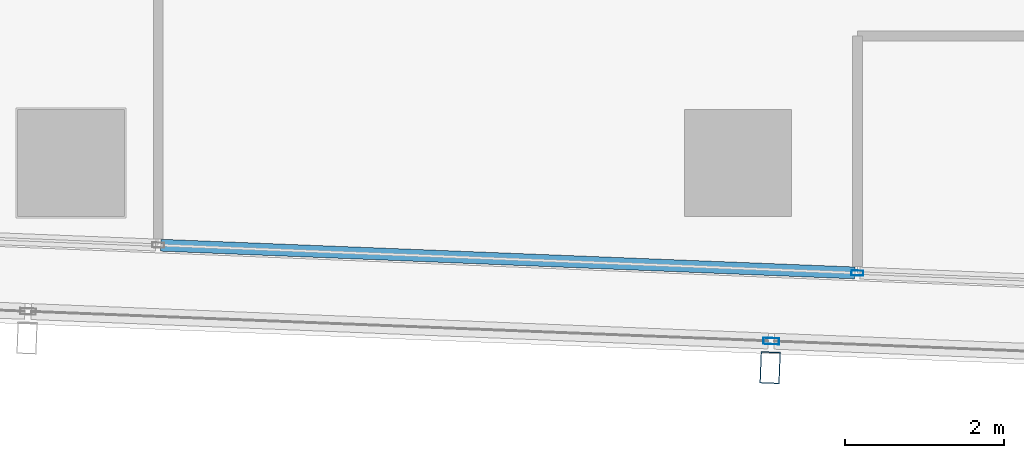
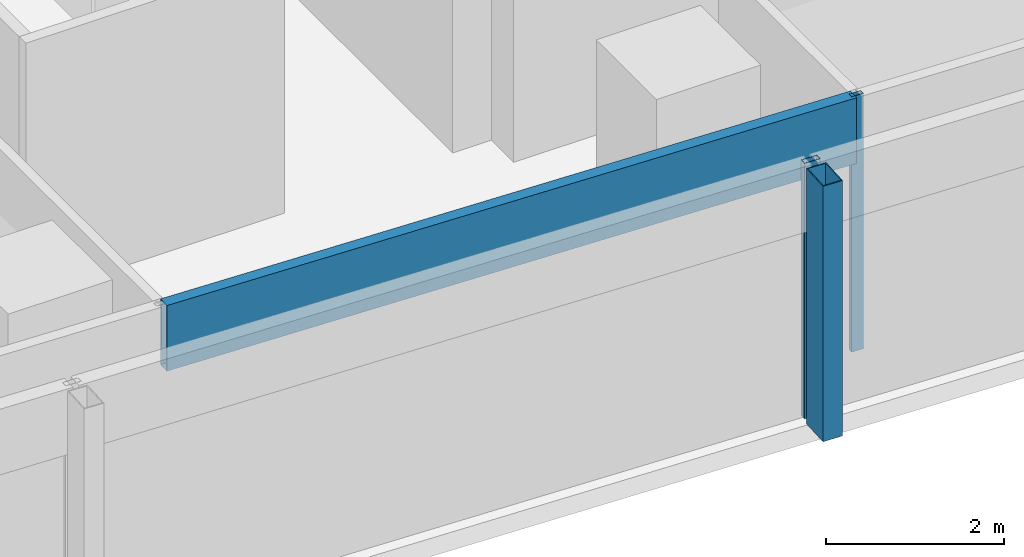
# One storey, part 6 of 39: 4 members, 2 elements without a shape of their own.
"""IFC4 building model written with IfcOpenShell, lengths in metres."""

from ifc_helpers import new_model, si_unit, direction, frame, origin, origin_2d, place, context, subcontext, project, spatial, hollow_rectangle, extrude, material, material_profile, profile_set, type_object, element, aggregate, save


model = new_model("IFC4")

# Units and contexts
model_context = context("Model", 3, precision=1e-05, world=origin(), true_north=direction((0.0, 1.0)))
body_context = subcontext(model_context, "Body", "Model", "MODEL_VIEW")
ifc_project = project(units=[si_unit("LENGTHUNIT", "METRE"), si_unit("AREAUNIT", "SQUARE_METRE"), si_unit("VOLUMEUNIT", "CUBIC_METRE"), si_unit("PLANEANGLEUNIT", "RADIAN"), si_unit("MASSUNIT", "GRAM", prefix="KILO")], contexts=[model_context])

# Site, building, storey
site_placement = place(None, origin())
site = spatial("IfcSite", under=ifc_project, at=site_placement, CompositionType="ELEMENT")
building_placement = place(site_placement, origin())
building = spatial("IfcBuilding", under=site, at=building_placement, Name="Rekha Terrace Tower", CompositionType="ELEMENT")
storey_placement = place(building_placement, frame((0.0, 0.0, 217.699951171875)))
storey = spatial("IfcBuildingStorey", under=building, at=storey_placement, Name="L55", CompositionType="ELEMENT", Elevation=217.699951171875)

# Curtain wall, member
ifc_material_1 = material(Name="Aluminium framing", Category="aluminium")
curtain_wall_type_1 = type_object("IfcCurtainWallType", Name="CW2 double skin outer glazing", PredefinedType="USERDEFINED", material=ifc_material_1)
curtain_wall_1_placement = place(storey_placement, origin())
curtain_wall_1 = element("IfcCurtainWall", 1, at=curtain_wall_1_placement, inside=storey, type_object=curtain_wall_type_1, Name="CW2 double skin outer glazing", ObjectType="DOUBLE SKIN OUTER GLAZING", PredefinedType="USERDEFINED")
ifc_material_2 = material(Name="Steel S355 with fluorocarbon finish", Category="steel")
ifc_material_profile_1 = material_profile(ifc_material_2, hollow_rectangle(XDim=0.25, YDim=0.39990234375, WallThickness=0.012451171875, at=origin_2d()), Name="RHS400x250x12.5")
ifc_profile_set_1 = profile_set([ifc_material_profile_1], Name="Steel S355 with fluorocarbon finish")
member_type_1 = type_object("IfcMemberType", Name="BL1 facade blade RHS 400 x 250", PredefinedType="USERDEFINED", material=ifc_profile_set_1)
member_1_placement = place(storey_placement, frame((25.60498046875, 14.222412109375, 0.0), z_axis=(0.0, 0.0, 1.0), x_axis=(0.999204797763, -0.039871946621, 0.0)))
member_1 = element("IfcMember", 2, at=member_1_placement, type_object=member_type_1, Name="Facade blade", ObjectType="FACADE BLADE", PredefinedType="USERDEFINED", context=body_context, shape_type="SweptSolid", body=[
    extrude(hollow_rectangle(XDim=0.25, YDim=0.39990234375, WallThickness=0.012451171875, at=origin_2d()), origin(), (0.0, 0.0, 1.0), 3.5),
])

# Curtain wall, members
curtain_wall_type_2 = type_object("IfcCurtainWallType", Name="CW1 double skin inner glazing", PredefinedType="USERDEFINED", material=ifc_material_1)
curtain_wall_2_placement = place(storey_placement, origin())
curtain_wall_2 = element("IfcCurtainWall", 3, at=curtain_wall_2_placement, inside=storey, type_object=curtain_wall_type_2, Name="CW1 double skin inner glazing", ObjectType="DOUBLE SKIN INNER GLAZING", PredefinedType="USERDEFINED")
ifc_material_3 = material(Name="Aluminium mullion section", Category="aluminium")
ifc_material_profile_2 = material_profile(ifc_material_3, hollow_rectangle(XDim=0.06494140625, YDim=0.14990234375, WallThickness=0.00390625, at=origin_2d()), Name="AL RHS 65x150")
ifc_profile_set_2 = profile_set([ifc_material_profile_2], Name="Aluminium mullion section")
member_type_2 = type_object("IfcMemberType", Name="CW1 mullion RHS 65 x 150", PredefinedType="MULLION", material=ifc_profile_set_2)
member_2_placement = place(storey_placement, frame((26.703369140625, 15.41455078125, 0.0), z_axis=(0.0, 0.0, 1.0), x_axis=(0.039872497061, 0.999204775798, 0.0)))
member_2 = element("IfcMember", 4, at=member_2_placement, type_object=member_type_2, Name="CW1 mullion 3", PredefinedType="MULLION", context=body_context, shape_type="SweptSolid", body=[
    extrude(hollow_rectangle(XDim=0.06494140625, YDim=0.14990234375, WallThickness=0.00390625, at=origin_2d()), origin(), (0.0, 0.0, 1.0), 3.5),
])
ifc_material_4 = material(Name="Insulated aluminium spandrel box", Category="aluminium")
ifc_material_profile_3 = material_profile(ifc_material_4, hollow_rectangle(XDim=0.14990234375, YDim=0.89990234375, WallThickness=0.0029296875, at=origin_2d()), Name="AL SPANDREL BOX 150x900")
ifc_profile_set_3 = profile_set([ifc_material_profile_3], Name="Insulated aluminium spandrel box")
member_type_3 = type_object("IfcMemberType", Name="CW1 spandrel transom 150 x 900", PredefinedType="USERDEFINED", material=ifc_profile_set_3)
member_3_placement = place(storey_placement, frame((17.931396484375, 15.7646484375, 3.050048828125), z_axis=(0.999205278064, -0.039859908291, 0.0), x_axis=(0.039859908291, 0.999205278064, 0.0)))
member_3 = element("IfcMember", 5, at=member_3_placement, type_object=member_type_3, Name="CW1 spandrel transom 2", ObjectType="TRANSOM", PredefinedType="USERDEFINED", context=body_context, shape_type="SweptSolid", body=[
    extrude(hollow_rectangle(XDim=0.14990234375, YDim=0.89990234375, WallThickness=0.0029296875, at=origin_2d()), origin(), (0.0, 0.0, 1.0), 8.746337890625),
])
aggregate(curtain_wall_2, [member_2, member_3])

# Member
ifc_material_profile_4 = material_profile(ifc_material_3, hollow_rectangle(XDim=0.080078125, YDim=0.199951171875, WallThickness=0.00390625, at=origin_2d()), Name="AL RHS 80x200")
ifc_profile_set_4 = profile_set([ifc_material_profile_4], Name="Aluminium mullion section")
member_type_4 = type_object("IfcMemberType", Name="CW2 mullion RHS 80 x 200", PredefinedType="MULLION", material=ifc_profile_set_4)
member_4_placement = place(storey_placement, frame((25.618408203125, 14.55712890625, 0.0), z_axis=(0.0, 0.0, 1.0), x_axis=(0.039872497044, 0.999204775799, 0.0)))
member_4 = element("IfcMember", 6, at=member_4_placement, type_object=member_type_4, Name="CW2 mullion 3", PredefinedType="MULLION", context=body_context, shape_type="SweptSolid", body=[
    extrude(hollow_rectangle(XDim=0.080078125, YDim=0.199951171875, WallThickness=0.00390625, at=origin_2d()), origin(), (0.0, 0.0, 1.0), 3.5),
])

aggregate(curtain_wall_1, [member_4, member_1])

save(model, "model.ifc")
